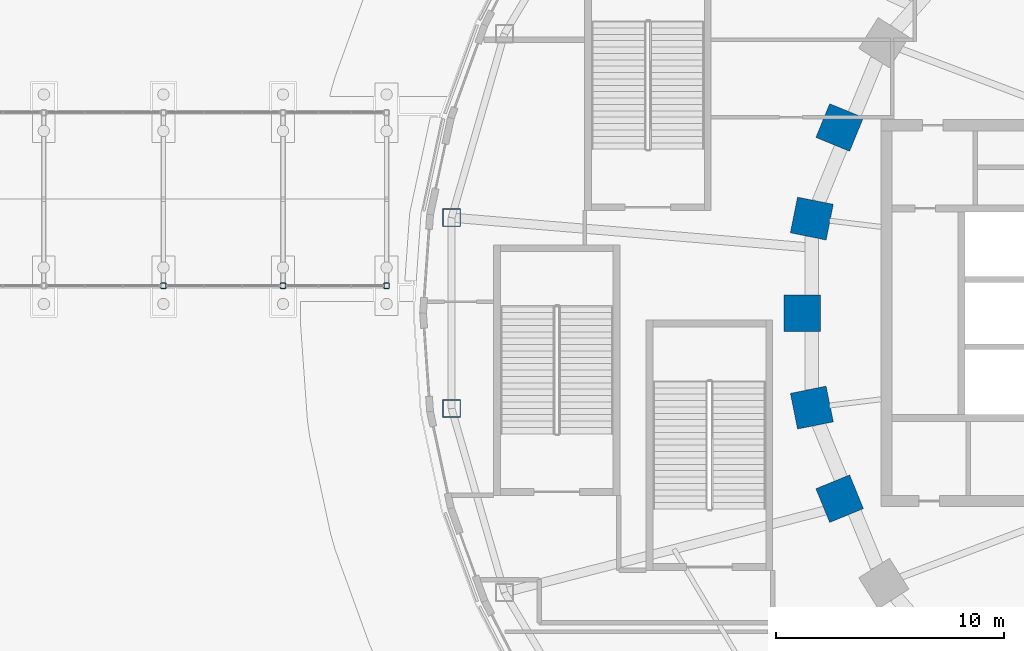
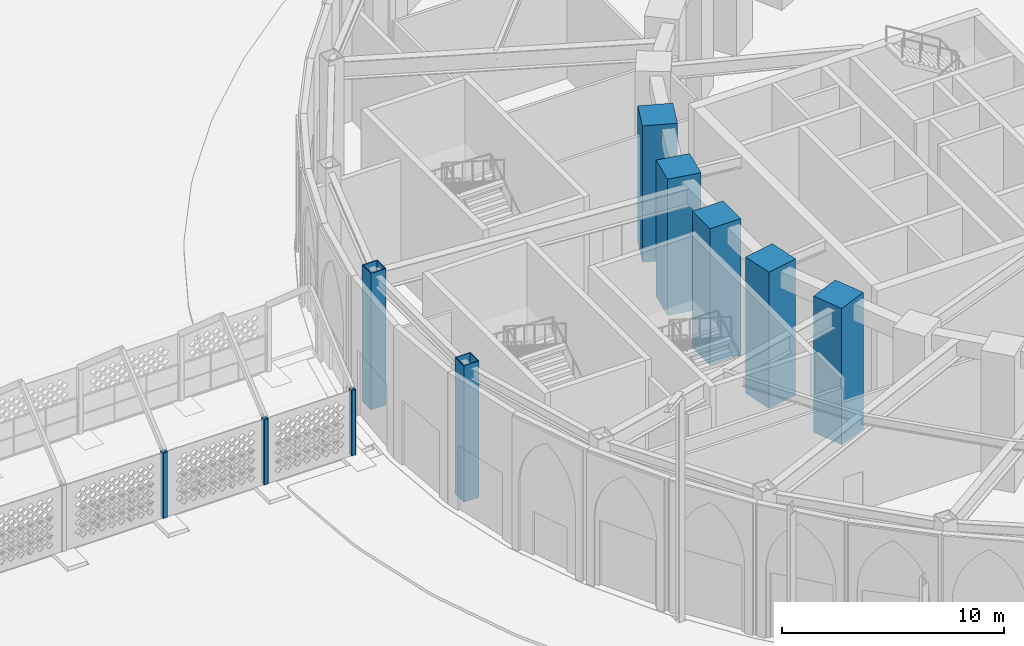
# One storey, part 9 of 79: 10 columns.
"""IFC4 building model written with IfcOpenShell, lengths in metres."""

from ifc_helpers import new_model, si_unit, direction, frame, origin, origin_2d, place, context, subcontext, project, spatial, rectangle, hollow_rectangle, extrude, material, material_profile, profile_set, type_object, element, save


model = new_model("IFC4")

# Units and contexts
model_context = context("Model", 3, precision=1e-05, world=origin(), true_north=direction((0.0, 1.0)))
body_context = subcontext(model_context, "Body", "Model", "MODEL_VIEW")
ifc_project = project(units=[si_unit("LENGTHUNIT", "METRE"), si_unit("AREAUNIT", "SQUARE_METRE"), si_unit("VOLUMEUNIT", "CUBIC_METRE"), si_unit("PLANEANGLEUNIT", "RADIAN"), si_unit("MASSUNIT", "GRAM", prefix="KILO")], contexts=[model_context])

# Site, building, storey
site_placement = place(None, origin())
site = spatial("IfcSite", under=ifc_project, at=site_placement, CompositionType="ELEMENT")
building_placement = place(site_placement, origin())
building = spatial("IfcBuilding", under=site, at=building_placement, Name="Noorbagh Ring Tower", CompositionType="ELEMENT")
storey_placement = place(building_placement, origin())
storey = spatial("IfcBuildingStorey", under=building, at=storey_placement, Name="L00", CompositionType="ELEMENT", Elevation=0.0)

# Columns
ifc_material_1 = material(Name="Steel S355", Category="steel")
ifc_material_profile_1 = material_profile(ifc_material_1, hollow_rectangle(XDim=0.25, YDim=0.25, WallThickness=0.01611328125, InnerFilletRadius=0.01611328125, OuterFilletRadius=0.0400390625, at=origin_2d()), Name="SHS250x250x16")
ifc_profile_set_1 = profile_set([ifc_material_profile_1], Name="Steel S355")
column_type_1 = type_object("IfcColumnType", Name="AR-COL", PredefinedType="COLUMN", material=ifc_profile_set_1)
for number, where, z_axis, x_axis, name in (
    (1, (-63.0, 1.199951171875, 0.0), (0.0, 0.0, 1.0), (1.0, 0.0, 0.0), "L00/ar-col/7S"),
    (2, (-57.75, 1.199951171875, 0.0), (0.0, 0.0, 1.0), (1.0, 0.0, 0.0), "L00/ar-col/8S"),
    (3, (-53.199951171875, 1.199951171875, 0.0), (0.0, 0.0, 1.0), (1.0, 0.0, 0.0), "L00/ar-col/9S"),
):
    element("IfcColumn", number, at=place(storey_placement, frame(where, z_axis=z_axis, x_axis=x_axis)), inside=storey, type_object=column_type_1, Name=name, PredefinedType="COLUMN", context=body_context, shape_type="SweptSolid", body=[
        extrude(hollow_rectangle(XDim=0.25, YDim=0.25, WallThickness=0.01611328125, InnerFilletRadius=0.01611328125, OuterFilletRadius=0.0400390625, at=origin_2d()), origin(), (0.0, 0.0, 1.0), 3.60009765625),
    ])
ifc_material_2 = material(Name="Steel S355", Category="steel")
ifc_material_profile_2 = material_profile(ifc_material_2, hollow_rectangle(XDim=0.800048828125, YDim=0.800048828125, WallThickness=0.0400390625, at=origin_2d()), Name="BOX800x800x40")
ifc_profile_set_2 = profile_set([ifc_material_profile_2], Name="Steel S355")
column_type_2 = type_object("IfcColumnType", Name="GND-COL-BOX800x800x40", PredefinedType="COLUMN", material=ifc_profile_set_2)
for number, where, z_axis, x_axis, name in (
    (4, (-50.34716796875, 4.191650390625, 0.0), (0.0, 0.0, 1.0), (1.0, 0.0, 0.0), "L00/col/RP-17"),
    (5, (-50.34716796875, -4.191650390625, 0.0), (0.0, 0.0, 1.0), (1.0, 0.0, 0.0), "L00/col/RP-18"),
):
    element("IfcColumn", number, at=place(storey_placement, frame(where, z_axis=z_axis, x_axis=x_axis)), inside=storey, type_object=column_type_2, Name=name, PredefinedType="COLUMN", context=body_context, shape_type="SweptSolid", body=[
        extrude(hollow_rectangle(XDim=0.800048828125, YDim=0.800048828125, WallThickness=0.0400390625, at=origin_2d()), origin(), (0.0, 0.0, 1.0), 7.5),
    ])
ifc_material_3 = material(Name="Concrete C70/85", Category="concrete")
ifc_material_profile_3 = material_profile(ifc_material_3, rectangle(XDim=1.60009765625, YDim=1.60009765625, at=origin_2d()), Name="RC1600x1600")
ifc_profile_set_3 = profile_set([ifc_material_profile_3], Name="Concrete C70/85")
column_type_3 = type_object("IfcColumnType", Name="STR-COL-RC1600x1600-C70-85", PredefinedType="COLUMN", material=ifc_profile_set_3)
for number, where, z_axis, x_axis, name in (
    (6, (-33.30517578125, 8.1494140625, 0.0), (0.0, 0.0, 1.0), (-0.378989499959, -0.925400971969, 0.0), "L00/col/R1-22"),
    (7, (-34.52685546875, 4.150634765625, 0.0), (0.0, 0.0, 1.0), (-0.19723040178, -0.9803571638, 0.0), "L00/col/R1-23"),
    (8, (-34.944580078125, 0.0, 0.0), (0.0, 0.0, 1.0), (0.0, -1.0, 0.0), "L00/col/R1-24"),
    (9, (-34.52685546875, -4.150634765625, 0.0), (0.0, 0.0, 1.0), (0.19723040178, -0.9803571638, 0.0), "L00/col/R1-25"),
    (10, (-33.30517578125, -8.1494140625, 0.0), (0.0, 0.0, 1.0), (0.378989499959, -0.925400971969, 0.0), "L00/col/R1-26"),
):
    element("IfcColumn", number, at=place(storey_placement, frame(where, z_axis=z_axis, x_axis=x_axis)), inside=storey, type_object=column_type_3, Name=name, PredefinedType="COLUMN", context=body_context, shape_type="SweptSolid", body=[
        extrude(rectangle(XDim=1.60009765625, YDim=1.60009765625, at=origin_2d()), origin(), (0.0, 0.0, 1.0), 7.5),
    ])

save(model, "model.ifc")
